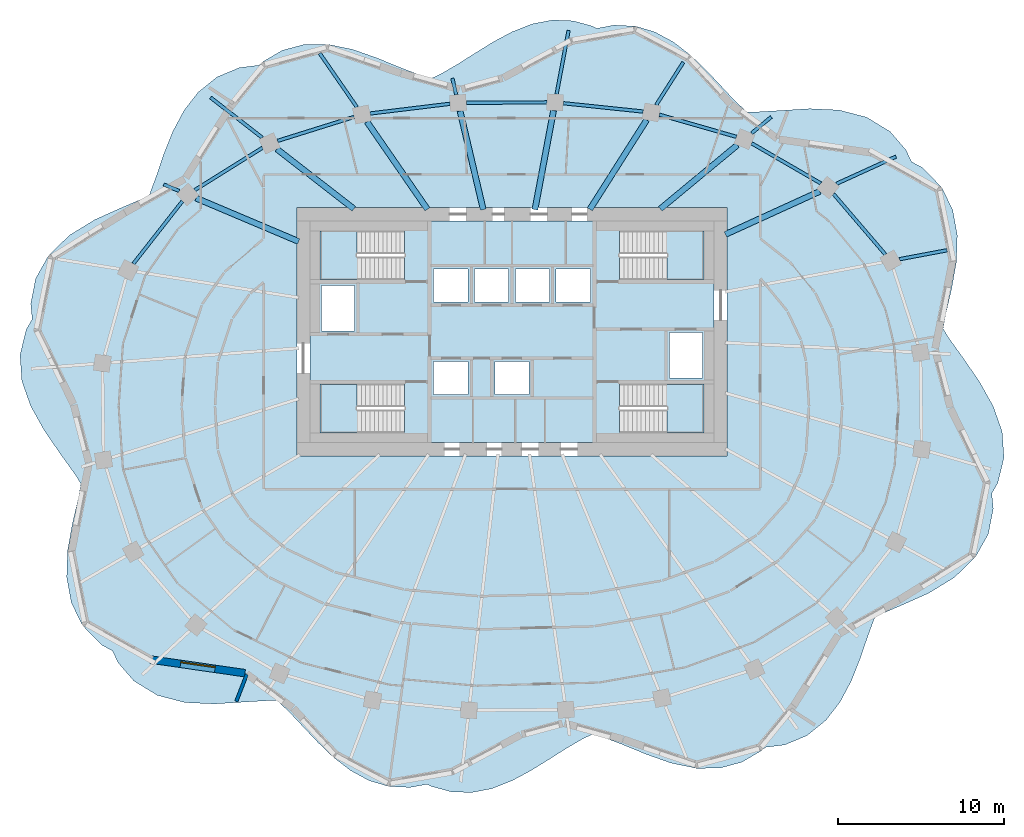
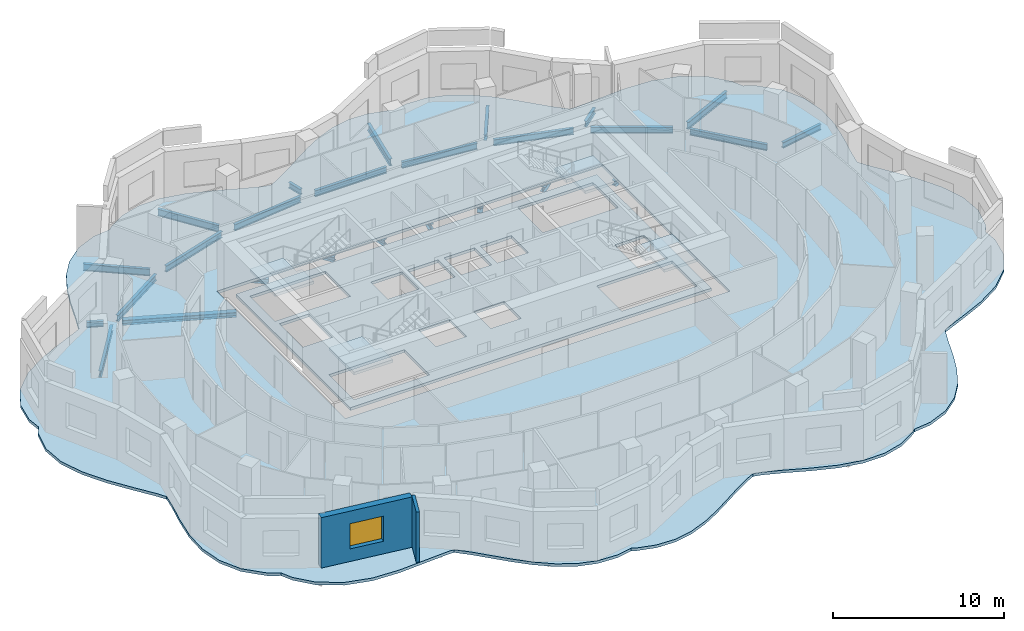
# One storey, part 2 of 10: 26 beams, 6 slabs, 2 walls, 1 window, 1 opening, 4 elements without a shape of their own.
"""IFC4 building model written with IfcOpenShell, lengths in metres."""

from ifc_helpers import new_model, si_unit, direction, frame, frame_2d, origin, origin_2d, place, context, subcontext, project, spatial, polyline, rectangle, i_section, outline, extrude, material, layer, layer_set, material_profile, profile_set, type_object, element, fill, aggregate, save


model = new_model("IFC4")

# Units and contexts
model_context = context("Model", 3, precision=1e-05, world=origin(), true_north=direction((0.0, 1.0)))
body_context = subcontext(model_context, "Body", "Model", "MODEL_VIEW")
ifc_project = project(units=[si_unit("LENGTHUNIT", "METRE"), si_unit("AREAUNIT", "SQUARE_METRE"), si_unit("VOLUMEUNIT", "CUBIC_METRE"), si_unit("PLANEANGLEUNIT", "RADIAN"), si_unit("MASSUNIT", "GRAM", prefix="KILO")], contexts=[model_context])

# Site, building, storey
site_placement = place(None, origin())
site = spatial("IfcSite", under=ifc_project, at=site_placement, CompositionType="ELEMENT")
building_placement = place(site_placement, origin())
building = spatial("IfcBuilding", under=site, at=building_placement, Name="Rubra Terraces Tower", CompositionType="ELEMENT")
storey_placement = place(building_placement, frame((0.0, 0.0, 213.0)))
storey = spatial("IfcBuildingStorey", under=building, at=storey_placement, Name="L52", CompositionType="ELEMENT", Elevation=213.0)

# Beams
ifc_material_1 = material(Name="Steel Q355B", Category="steel")
ifc_material_profile_1 = material_profile(ifc_material_1, i_section(OverallWidth=0.199951171875, OverallDepth=0.39990234375, WebThickness=0.008056640625, FlangeThickness=0.012939453125, at=origin_2d()), Name="HN 400x200x8x13")
ifc_profile_set_1 = profile_set([ifc_material_profile_1], Name="Steel Q355B")
beam_type_1 = type_object("IfcBeamType", Name="CANTILEVER BEAM HN 400x200x8x13", PredefinedType="BEAM", material=ifc_profile_set_1)
beam_1_placement = place(storey_placement, frame((23.39794921875, 8.884033203125, -0.39990234375), z_axis=(0.982856170911, 0.184373933356, 0.0), x_axis=(-0.184373933356, 0.982856170911, 0.0)))
element("IfcBeam", 1, at=beam_1_placement, inside=storey, type_object=beam_type_1, Name="beam-L52-cant-02", PredefinedType="BEAM", context=body_context, shape_type="SweptSolid", body=[
    extrude(i_section(OverallWidth=0.199951171875, OverallDepth=0.39990234375, WebThickness=0.008056640625, FlangeThickness=0.012939453125, at=origin_2d()), origin(), (0.0, 0.0, 1.0), 2.934326171875),
])
beam_2_placement = place(storey_placement, frame((14.47509765625, 16.4951171875, -0.39990234375), z_axis=(0.769894720429, 0.638170917119, 0.0), x_axis=(-0.638170917119, 0.769894720429, 0.0)))
element("IfcBeam", 2, at=beam_2_placement, inside=storey, type_object=beam_type_1, Name="beam-L52-cant-04", PredefinedType="BEAM", context=body_context, shape_type="SweptSolid", body=[
    extrude(i_section(OverallWidth=0.199951171875, OverallDepth=0.39990234375, WebThickness=0.008056640625, FlangeThickness=0.012939453125, at=origin_2d()), origin(), (0.0, 0.0, 1.0), 1.540283203125),
])
beam_3_placement = place(storey_placement, frame((8.7099609375, 18.201904296875, -0.39990234375), z_axis=(0.536555231363, 0.843865204696, 0.0), x_axis=(-0.843865204696, 0.536555231363, 0.0)))
element("IfcBeam", 3, at=beam_3_placement, inside=storey, type_object=beam_type_1, Name="beam-L52-cant-05", PredefinedType="BEAM", context=body_context, shape_type="SweptSolid", body=[
    extrude(i_section(OverallWidth=0.199951171875, OverallDepth=0.39990234375, WebThickness=0.008056640625, FlangeThickness=0.012939453125, at=origin_2d()), origin(), (0.0, 0.0, 1.0), 3.05859375),
])
ifc_material_profile_2 = material_profile(ifc_material_1, i_section(OverallWidth=0.198974609375, OverallDepth=0.49609375, WebThickness=0.009033203125, FlangeThickness=0.013916015625, at=origin_2d()), Name="HN 496x199x9x14")
ifc_profile_set_2 = profile_set([ifc_material_profile_2], Name="Steel Q355B")
beam_type_2 = type_object("IfcBeamType", Name="CANTILEVER BEAM HN 496x199x9x14", PredefinedType="BEAM", material=ifc_profile_set_2)
beam_4_placement = place(storey_placement, frame((19.596923828125, 13.43896484375, -0.447998046875), z_axis=(0.909745347317, 0.415166717157, 0.0), x_axis=(-0.415166717157, 0.909745347317, 0.0)))
element("IfcBeam", 4, at=beam_4_placement, inside=storey, type_object=beam_type_2, Name="beam-L52-cant-03", PredefinedType="BEAM", context=body_context, shape_type="SweptSolid", body=[
    extrude(i_section(OverallWidth=0.198974609375, OverallDepth=0.49609375, WebThickness=0.009033203125, FlangeThickness=0.013916015625, at=origin_2d()), origin(), (0.0, 0.0, 1.0), 3.950439453125),
])
beam_5_placement = place(storey_placement, frame((2.695068359375, 18.85400390625, -0.447998046875), z_axis=(0.184533441982, 0.982826235298, 0.0), x_axis=(-0.982826235298, 0.184533441982, 0.0)))
element("IfcBeam", 5, at=beam_5_placement, inside=storey, type_object=beam_type_2, Name="beam-L52-cant-06", PredefinedType="BEAM", context=body_context, shape_type="SweptSolid", body=[
    extrude(i_section(OverallWidth=0.198974609375, OverallDepth=0.49609375, WebThickness=0.009033203125, FlangeThickness=0.013916015625, at=origin_2d()), origin(), (0.0, 0.0, 1.0), 3.912109375),
])
beam_6_placement = place(storey_placement, frame((-9.3701171875, 18.070068359375, -0.447998046875), z_axis=(-0.568216621414, 0.822879013676, 0.0), x_axis=(-0.822879013676, -0.568216621414, 0.0)))
element("IfcBeam", 6, at=beam_6_placement, inside=storey, type_object=beam_type_2, Name="beam-L52-cant-08", PredefinedType="BEAM", context=body_context, shape_type="SweptSolid", body=[
    extrude(i_section(OverallWidth=0.198974609375, OverallDepth=0.49609375, WebThickness=0.009033203125, FlangeThickness=0.013916015625, at=origin_2d()), origin(), (0.0, 0.0, 1.0), 3.95068359375),
])
beam_7_placement = place(storey_placement, frame((-15.087890625, 16.22705078125, -0.447998046875), z_axis=(-0.789618379303, 0.61359825217, 0.0), x_axis=(-0.61359825217, -0.789618379303, 0.0)))
element("IfcBeam", 7, at=beam_7_placement, inside=storey, type_object=beam_type_2, Name="beam-L52-cant-09", PredefinedType="BEAM", context=body_context, shape_type="SweptSolid", body=[
    extrude(i_section(OverallWidth=0.198974609375, OverallDepth=0.49609375, WebThickness=0.009033203125, FlangeThickness=0.013916015625, at=origin_2d()), origin(), (0.0, 0.0, 1.0), 3.9501953125),
])
ifc_material_profile_3 = material_profile(ifc_material_1, i_section(OverallWidth=0.199951171875, OverallDepth=0.39990234375, WebThickness=0.008056640625, FlangeThickness=0.012939453125, at=origin_2d()), Name="HN 400x200x8x13")
ifc_profile_set_3 = profile_set([ifc_material_profile_3], Name="Steel Q355B")
beam_type_3 = type_object("IfcBeamType", Name="CANTILEVER STUB HN 400x200x8x13", PredefinedType="BEAM", material=ifc_profile_set_3)
beam_8_placement = place(storey_placement, frame((-3.3701171875, 18.823974609375, -0.39990234375), z_axis=(-0.228798709465, 0.973473754421, 0.0), x_axis=(-0.973473754421, -0.228798709465, 0.0)))
element("IfcBeam", 8, at=beam_8_placement, inside=storey, type_object=beam_type_3, Name="beam-L52-cant-07", PredefinedType="BEAM", context=body_context, shape_type="SweptSolid", body=[
    extrude(i_section(OverallWidth=0.199951171875, OverallDepth=0.39990234375, WebThickness=0.008056640625, FlangeThickness=0.012939453125, at=origin_2d()), origin(), (0.0, 0.0, 1.0), 1.01806640625),
])
beam_9_placement = place(storey_placement, frame((-20.10205078125, 13.0048828125, -0.39990234375), z_axis=(-0.920750248857, 0.390152507654, 0.0), x_axis=(-0.390152507654, -0.920750248857, 0.0)))
element("IfcBeam", 9, at=beam_9_placement, inside=storey, type_object=beam_type_3, Name="beam-L52-cant-10", PredefinedType="BEAM", context=body_context, shape_type="SweptSolid", body=[
    extrude(i_section(OverallWidth=0.199951171875, OverallDepth=0.39990234375, WebThickness=0.008056640625, FlangeThickness=0.012939453125, at=origin_2d()), origin(), (0.0, 0.0, 1.0), 1.010009765625),
])
ifc_material_profile_4 = material_profile(ifc_material_1, i_section(OverallWidth=0.35009765625, OverallDepth=0.35009765625, WebThickness=0.011962890625, FlangeThickness=0.01904296875, at=origin_2d()), Name="HW 350x350x12x19")
ifc_profile_set_4 = profile_set([ifc_material_profile_4], Name="Steel Q355B")
beam_type_4 = type_object("IfcBeamType", Name="FLOOR BEAM HW 350x350x12x19", PredefinedType="BEAM", material=ifc_profile_set_4)
beam_10_placement = place(storey_placement, frame((18.5869140625, 12.97900390625, -0.375), z_axis=(-0.909756526533, -0.415142219523, 0.0), x_axis=(0.415142219523, -0.909756526533, 0.0)))
element("IfcBeam", 10, at=beam_10_placement, inside=storey, type_object=beam_type_4, Name="beam-L52-floor-03", PredefinedType="BEAM", context=body_context, shape_type="SweptSolid", body=[
    extrude(i_section(OverallWidth=0.35009765625, OverallDepth=0.35009765625, WebThickness=0.011962890625, FlangeThickness=0.01904296875, at=origin_2d()), origin(), (0.0, 0.0, 1.0), 6.2607421875),
])
beam_11_placement = place(storey_placement, frame((13.60888671875, 15.777099609375, -0.375), z_axis=(-0.769987518392, -0.638058948312, 0.0), x_axis=(0.638058948312, -0.769987518392, 0.0)))
element("IfcBeam", 11, at=beam_11_placement, inside=storey, type_object=beam_type_4, Name="beam-L52-floor-04", PredefinedType="BEAM", context=body_context, shape_type="SweptSolid", body=[
    extrude(i_section(OverallWidth=0.35009765625, OverallDepth=0.35009765625, WebThickness=0.011962890625, FlangeThickness=0.01904296875, at=origin_2d()), origin(), (0.0, 0.0, 1.0), 6.040283203125),
])
beam_12_placement = place(storey_placement, frame((8.134033203125, 17.2958984375, -0.375), z_axis=(-0.536509861106, -0.843894050776, 0.0), x_axis=(0.843894050776, -0.536509861106, 0.0)))
element("IfcBeam", 12, at=beam_12_placement, inside=storey, type_object=beam_type_4, Name="beam-L52-floor-05", PredefinedType="BEAM", context=body_context, shape_type="SweptSolid", body=[
    extrude(i_section(OverallWidth=0.35009765625, OverallDepth=0.35009765625, WebThickness=0.011962890625, FlangeThickness=0.01904296875, at=origin_2d()), origin(), (0.0, 0.0, 1.0), 6.395263671875),
])
beam_13_placement = place(storey_placement, frame((2.509033203125, 17.862060546875, -0.375), z_axis=(-0.184574398021, -0.982818544593, 0.0), x_axis=(0.982818544593, -0.184574398021, 0.0)))
element("IfcBeam", 13, at=beam_13_placement, inside=storey, type_object=beam_type_4, Name="beam-L52-floor-06", PredefinedType="BEAM", context=body_context, shape_type="SweptSolid", body=[
    extrude(i_section(OverallWidth=0.35009765625, OverallDepth=0.35009765625, WebThickness=0.011962890625, FlangeThickness=0.01904296875, at=origin_2d()), origin(), (0.0, 0.0, 1.0), 6.08447265625),
])
beam_14_placement = place(storey_placement, frame((-3.137939453125, 17.8359375, -0.375), z_axis=(0.229070485592, -0.973409837957, 0.0), x_axis=(0.973409837957, 0.229070485592, 0.0)))
element("IfcBeam", 14, at=beam_14_placement, inside=storey, type_object=beam_type_4, Name="beam-L52-floor-07", PredefinedType="BEAM", context=body_context, shape_type="SweptSolid", body=[
    extrude(i_section(OverallWidth=0.35009765625, OverallDepth=0.35009765625, WebThickness=0.011962890625, FlangeThickness=0.01904296875, at=origin_2d()), origin(), (0.0, 0.0, 1.0), 6.115478515625),
])
beam_15_placement = place(storey_placement, frame((-8.756103515625, 17.179931640625, -0.375), z_axis=(0.568186422001, -0.822899866238, 0.0), x_axis=(0.822899866238, 0.568186422001, 0.0)))
element("IfcBeam", 15, at=beam_15_placement, inside=storey, type_object=beam_type_4, Name="beam-L52-floor-08", PredefinedType="BEAM", context=body_context, shape_type="SweptSolid", body=[
    extrude(i_section(OverallWidth=0.35009765625, OverallDepth=0.35009765625, WebThickness=0.011962890625, FlangeThickness=0.01904296875, at=origin_2d()), origin(), (0.0, 0.0, 1.0), 6.415283203125),
])
beam_16_placement = place(storey_placement, frame((-14.197998046875, 15.534912109375, -0.375), z_axis=(0.789548898228, -0.613687654517, 0.0), x_axis=(0.613687654517, 0.789548898228, 0.0)))
element("IfcBeam", 16, at=beam_16_placement, inside=storey, type_object=beam_type_4, Name="beam-L52-floor-09", PredefinedType="BEAM", context=body_context, shape_type="SweptSolid", body=[
    extrude(i_section(OverallWidth=0.35009765625, OverallDepth=0.35009765625, WebThickness=0.011962890625, FlangeThickness=0.01904296875, at=origin_2d()), origin(), (0.0, 0.0, 1.0), 5.880615234375),
])
beam_17_placement = place(storey_placement, frame((-19.083984375, 12.574951171875, -0.375), z_axis=(0.92097476483, -0.38962223056, 0.0), x_axis=(0.38962223056, 0.92097476483, 0.0)))
element("IfcBeam", 17, at=beam_17_placement, inside=storey, type_object=beam_type_4, Name="beam-L52-floor-10", PredefinedType="BEAM", context=body_context, shape_type="SweptSolid", body=[
    extrude(i_section(OverallWidth=0.35009765625, OverallDepth=0.35009765625, WebThickness=0.011962890625, FlangeThickness=0.01904296875, at=origin_2d()), origin(), (0.0, 0.0, 1.0), 6.7265625),
])
ifc_material_profile_5 = material_profile(ifc_material_1, i_section(OverallWidth=0.198974609375, OverallDepth=0.446044921875, WebThickness=0.008056640625, FlangeThickness=0.011962890625, at=origin_2d()), Name="HN 446x199x8x12")
ifc_profile_set_5 = profile_set([ifc_material_profile_5], Name="Steel Q355B")
beam_type_5 = type_object("IfcBeamType", Name="SPANDREL BEAM HN 446x199x8x12", PredefinedType="SPANDREL", material=ifc_profile_set_5)
beam_18_placement = place(storey_placement, frame((22.547119140625, 9.174072265625, -0.423095703125), z_axis=(-0.650372836218, 0.759615148552, 0.0), x_axis=(-0.759615148552, -0.650372836218, 0.0)))
element("IfcBeam", 18, at=beam_18_placement, inside=storey, type_object=beam_type_5, Name="beam-L52-spandrel-02", PredefinedType="SPANDREL", context=body_context, shape_type="SweptSolid", body=[
    extrude(i_section(OverallWidth=0.198974609375, OverallDepth=0.446044921875, WebThickness=0.008056640625, FlangeThickness=0.011962890625, at=origin_2d()), origin(), (0.0, 0.0, 1.0), 4.804931640625),
])
beam_19_placement = place(storey_placement, frame((18.653076171875, 13.462890625, -0.423095703125), z_axis=(-0.865153680787, 0.501506838059, 0.0), x_axis=(-0.501506838059, -0.865153680787, 0.0)))
element("IfcBeam", 19, at=beam_19_placement, inside=storey, type_object=beam_type_5, Name="beam-L52-spandrel-03", PredefinedType="SPANDREL", context=body_context, shape_type="SweptSolid", body=[
    extrude(i_section(OverallWidth=0.198974609375, OverallDepth=0.446044921875, WebThickness=0.008056640625, FlangeThickness=0.011962890625, at=origin_2d()), origin(), (0.0, 0.0, 1.0), 4.82568359375),
])
beam_20_placement = place(storey_placement, frame((13.55810546875, 16.27490234375, -0.423095703125), z_axis=(-0.961171164323, 0.275952881621, 0.0), x_axis=(-0.275952881621, -0.961171164323, 0.0)))
element("IfcBeam", 20, at=beam_20_placement, inside=storey, type_object=beam_type_5, Name="beam-L52-spandrel-04", PredefinedType="SPANDREL", context=body_context, shape_type="SweptSolid", body=[
    extrude(i_section(OverallWidth=0.198974609375, OverallDepth=0.446044921875, WebThickness=0.008056640625, FlangeThickness=0.011962890625, at=origin_2d()), origin(), (0.0, 0.0, 1.0), 4.842041015625),
])
beam_21_placement = place(storey_placement, frame((7.923095703125, 17.801025390625, -0.423095703125), z_axis=(-0.994565426955, 0.104113454971, 0.0), x_axis=(-0.104113454971, -0.994565426955, 0.0)))
element("IfcBeam", 21, at=beam_21_placement, inside=storey, type_object=beam_type_5, Name="beam-L52-spandrel-05", PredefinedType="SPANDREL", context=body_context, shape_type="SweptSolid", body=[
    extrude(i_section(OverallWidth=0.198974609375, OverallDepth=0.446044921875, WebThickness=0.008056640625, FlangeThickness=0.011962890625, at=origin_2d()), origin(), (0.0, 0.0, 1.0), 4.849365234375),
])
beam_22_placement = place(storey_placement, frame((2.10107421875, 18.35595703125, -0.423095703125), z_axis=(-0.999987852299, -0.004929021704, 0.0), x_axis=(0.004929021704, -0.999987852299, 0.0)))
element("IfcBeam", 22, at=beam_22_placement, inside=storey, type_object=beam_type_5, Name="beam-L52-spandrel-06", PredefinedType="SPANDREL", context=body_context, shape_type="SweptSolid", body=[
    extrude(i_section(OverallWidth=0.198974609375, OverallDepth=0.446044921875, WebThickness=0.008056640625, FlangeThickness=0.011962890625, at=origin_2d()), origin(), (0.0, 0.0, 1.0), 4.85400390625),
])
beam_23_placement = place(storey_placement, frame((-3.7509765625, 18.27001953125, -0.423095703125), z_axis=(-0.992698018573, -0.120626049929, 0.0), x_axis=(0.120626049929, -0.992698018573, 0.0)))
element("IfcBeam", 23, at=beam_23_placement, inside=storey, type_object=beam_type_5, Name="beam-L52-spandrel-07", PredefinedType="SPANDREL", context=body_context, shape_type="SweptSolid", body=[
    extrude(i_section(OverallWidth=0.198974609375, OverallDepth=0.446044921875, WebThickness=0.008056640625, FlangeThickness=0.011962890625, at=origin_2d()), origin(), (0.0, 0.0, 1.0), 4.849365234375),
])
beam_24_placement = place(storey_placement, frame((-9.5419921875, 17.47509765625, -0.423095703125), z_axis=(-0.954462027342, -0.298332429282, 0.0), x_axis=(0.298332429282, -0.954462027342, 0.0)))
element("IfcBeam", 24, at=beam_24_placement, inside=storey, type_object=beam_type_5, Name="beam-L52-spandrel-08", PredefinedType="SPANDREL", context=body_context, shape_type="SweptSolid", body=[
    extrude(i_section(OverallWidth=0.198974609375, OverallDepth=0.446044921875, WebThickness=0.008056640625, FlangeThickness=0.011962890625, at=origin_2d()), origin(), (0.0, 0.0, 1.0), 4.840576171875),
])
beam_25_placement = place(storey_placement, frame((-15.071044921875, 15.614013671875, -0.423095703125), z_axis=(-0.848183088492, -0.529703170083, 0.0), x_axis=(0.529703170083, -0.848183088492, 0.0)))
element("IfcBeam", 25, at=beam_25_placement, inside=storey, type_object=beam_type_5, Name="beam-L52-spandrel-09", PredefinedType="SPANDREL", context=body_context, shape_type="SweptSolid", body=[
    extrude(i_section(OverallWidth=0.198974609375, OverallDepth=0.446044921875, WebThickness=0.008056640625, FlangeThickness=0.011962890625, at=origin_2d()), origin(), (0.0, 0.0, 1.0), 4.8232421875),
])
beam_26_placement = place(storey_placement, frame((-19.906005859375, 12.39111328125, -0.423095703125), z_axis=(-0.617060338015, -0.786915840004, 0.0), x_axis=(0.786915840004, -0.617060338015, 0.0)))
element("IfcBeam", 26, at=beam_26_placement, inside=storey, type_object=beam_type_5, Name="beam-L52-spandrel-10", PredefinedType="SPANDREL", context=body_context, shape_type="SweptSolid", body=[
    extrude(i_section(OverallWidth=0.198974609375, OverallDepth=0.446044921875, WebThickness=0.008056640625, FlangeThickness=0.011962890625, at=origin_2d()), origin(), (0.0, 0.0, 1.0), 4.8037109375),
])

# Slab
ifc_material_2 = material(Name="Concrete C40", Category="concrete")
ifc_layer_1 = layer(ifc_material_2, 0.199951171875)
ifc_layer_set_1 = layer_set([ifc_layer_1], Name="Concrete C40")
slab_type_1 = type_object("IfcSlabType", Name="Core floor slab 200 concrete", PredefinedType="FLOOR", material=ifc_layer_set_1)
slab_1_placement = place(storey_placement, frame((0.0, 0.0, -0.199951171875)))
element("IfcSlab", 27, at=slab_1_placement, inside=storey, type_object=slab_type_1, Name="CORE FLOOR SLAB L52", PredefinedType="FLOOR", context=body_context, shape_type="SweptSolid", body=[
    extrude(outline(polyline([(-12.199951171875, -2.199951171875), (-12.199951171875, 11.199951171875), (12.199951171875, 11.199951171875), (12.199951171875, -2.199951171875), (-12.199951171875, -2.199951171875)]), holes=[polyline([(11.597900390625, 1.347900390625), (6.501953125, 1.347900390625), (6.501953125, -1.597900390625), (11.597900390625, -1.597900390625), (11.597900390625, 1.347900390625)]), polyline([(11.597900390625, 7.652099609375), (11.597900390625, 10.597900390625), (6.501953125, 10.597900390625), (6.501953125, 7.652099609375), (11.597900390625, 7.652099609375)]), polyline([(9.5, 1.699951171875), (11.5, 1.699951171875), (11.5, 4.449951171875), (9.5, 4.449951171875), (9.5, 1.699951171875)]), polyline([(4.75, 6.300048828125), (4.75, 8.300048828125), (2.64990234375, 8.300048828125), (2.64990234375, 6.300048828125), (4.75, 6.300048828125)]), polyline([(2.25, 8.300048828125), (0.199951171875, 8.300048828125), (0.199951171875, 6.300048828125), (2.25, 6.300048828125), (2.25, 8.300048828125)]), polyline([(1.02490234375, 0.699951171875), (1.02490234375, 2.699951171875), (-1.02490234375, 2.699951171875), (-1.02490234375, 0.699951171875), (1.02490234375, 0.699951171875)]), polyline([(-0.199951171875, 6.300048828125), (-0.199951171875, 8.300048828125), (-2.25, 8.300048828125), (-2.25, 6.300048828125), (-0.199951171875, 6.300048828125)]), polyline([(-4.75, 8.300048828125), (-4.75, 6.300048828125), (-2.64990234375, 6.300048828125), (-2.64990234375, 8.300048828125), (-4.75, 8.300048828125)]), polyline([(-2.64990234375, 0.699951171875), (-2.64990234375, 2.699951171875), (-4.75, 2.699951171875), (-4.75, 0.699951171875), (-2.64990234375, 0.699951171875)]), polyline([(-11.597900390625, -1.597900390625), (-6.501953125, -1.597900390625), (-6.501953125, 1.347900390625), (-11.597900390625, 1.347900390625), (-11.597900390625, -1.597900390625)]), polyline([(-11.597900390625, 10.597900390625), (-11.597900390625, 7.652099609375), (-6.501953125, 7.652099609375), (-6.501953125, 10.597900390625), (-11.597900390625, 10.597900390625)]), polyline([(-9.5, 4.550048828125), (-9.5, 7.300048828125), (-11.5, 7.300048828125), (-11.5, 4.550048828125), (-9.5, 4.550048828125)])]), origin(), (0.0, 0.0, 1.0), 0.199951171875),
])

# Stair, slab
stair_type = type_object("IfcStairType", Name="Core stair 1400", PredefinedType="HALF_TURN_STAIR", material=ifc_material_2)
stair_1_placement = place(storey_placement, origin())
stair_1 = element("IfcStair", 28, at=stair_1_placement, inside=storey, type_object=stair_type, Name="L52 Exit stair S1", PredefinedType="HALF_TURN_STAIR")
ifc_layer_2 = layer(ifc_material_2, 0.199951171875)
ifc_layer_set_2 = layer_set([ifc_layer_2], Name="Concrete C40")
slab_type_2 = type_object("IfcSlabType", Name="Core stair landing 200", PredefinedType="LANDING", material=ifc_layer_set_2)
slab_2_placement = place(storey_placement, frame((0.0, 0.0, 1.75)))
slab_2 = element("IfcSlab", 29, at=slab_2_placement, type_object=slab_type_2, Name="S1 landing 1", PredefinedType="LANDING", context=body_context, shape_type="SweptSolid", body=[
    extrude(outline(polyline([(-8.97998046875, -0.199951171875), (-8.97998046875, -1.60009765625), (-9.360107421875, -1.60009765625), (-9.3798828125, -1.60009765625), (-11.60009765625, -1.60009765625), (-11.60009765625, 1.35009765625), (-9.3798828125, 1.35009765625), (-9.35791015625, 1.35009765625), (-9.35791015625, -0.050048828125), (-9.360107421875, -0.050048828125), (-9.360107421875, -0.199951171875), (-8.97998046875, -0.199951171875)])), origin(), (0.0, 0.0, 1.0), 0.199951171875),
])
aggregate(stair_1, [slab_2])

stair_2_placement = place(storey_placement, origin())
stair_2 = element("IfcStair", 30, at=stair_2_placement, inside=storey, type_object=stair_type, Name="L52 Exit stair S2", PredefinedType="HALF_TURN_STAIR")
slab_3_placement = place(storey_placement, frame((0.0, 0.0, 1.75)))
slab_3 = element("IfcSlab", 31, at=slab_3_placement, type_object=slab_type_2, Name="S2 landing 1", PredefinedType="LANDING", context=body_context, shape_type="SweptSolid", body=[
    extrude(outline(polyline([(-8.97998046875, 9.050048828125), (-8.97998046875, 7.64990234375), (-9.3798828125, 7.64990234375), (-11.60009765625, 7.64990234375), (-11.60009765625, 10.60009765625), (-9.3798828125, 10.60009765625), (-9.360107421875, 10.60009765625), (-9.35791015625, 10.60009765625), (-9.35791015625, 9.199951171875), (-9.360107421875, 9.199951171875), (-9.360107421875, 9.050048828125), (-8.97998046875, 9.050048828125)])), origin(), (0.0, 0.0, 1.0), 0.199951171875),
])
aggregate(stair_2, [slab_3])

stair_3_placement = place(storey_placement, origin())
stair_3 = element("IfcStair", 32, at=stair_3_placement, inside=storey, type_object=stair_type, Name="L52 Exit stair S3", PredefinedType="HALF_TURN_STAIR")
slab_4_placement = place(storey_placement, frame((0.0, 0.0, 1.75)))
slab_4 = element("IfcSlab", 33, at=slab_4_placement, type_object=slab_type_2, Name="S3 landing 1", PredefinedType="LANDING", context=body_context, shape_type="SweptSolid", body=[
    extrude(outline(polyline([(9.360107421875, 9.050048828125), (9.360107421875, 9.199951171875), (8.97998046875, 9.199951171875), (8.97998046875, 10.60009765625), (9.360107421875, 10.60009765625), (9.3798828125, 10.60009765625), (11.60009765625, 10.60009765625), (11.60009765625, 7.64990234375), (9.3798828125, 7.64990234375), (9.35791015625, 7.64990234375), (9.35791015625, 9.050048828125), (9.360107421875, 9.050048828125)])), origin(), (0.0, 0.0, 1.0), 0.199951171875),
])
aggregate(stair_3, [slab_4])

stair_4_placement = place(storey_placement, origin())
stair_4 = element("IfcStair", 34, at=stair_4_placement, inside=storey, type_object=stair_type, Name="L52 Exit stair S4", PredefinedType="HALF_TURN_STAIR")
slab_5_placement = place(storey_placement, frame((0.0, 0.0, 1.75)))
slab_5 = element("IfcSlab", 35, at=slab_5_placement, type_object=slab_type_2, Name="S4 landing 1", PredefinedType="LANDING", context=body_context, shape_type="SweptSolid", body=[
    extrude(outline(polyline([(9.360107421875, -0.199951171875), (9.360107421875, -0.050048828125), (8.97998046875, -0.050048828125), (8.97998046875, 1.35009765625), (9.360107421875, 1.35009765625), (9.3798828125, 1.35009765625), (11.60009765625, 1.35009765625), (11.60009765625, -1.60009765625), (9.3798828125, -1.60009765625), (9.360107421875, -1.60009765625), (9.35791015625, -1.60009765625), (9.35791015625, -0.199951171875), (9.360107421875, -0.199951171875)])), origin(), (0.0, 0.0, 1.0), 0.199951171875),
])
aggregate(stair_4, [slab_5])

# Slab
ifc_layer_3 = layer(ifc_material_2, 0.199951171875)
ifc_layer_set_3 = layer_set([ifc_layer_3], Name="Concrete C40")
slab_type_3 = type_object("IfcSlabType", Name="FLOOR SLAB 200 COMPOSITE", PredefinedType="FLOOR", material=ifc_layer_set_3)
slab_6_placement = place(storey_placement, frame((0.0, 0.0, -0.199951171875)))
element("IfcSlab", 36, at=slab_6_placement, inside=storey, type_object=slab_type_3, Name="FLOOR SLAB L52", PredefinedType="FLOOR", context=body_context, shape_type="SweptSolid", body=[
    extrude(outline(polyline([(15.10009765625, -20.782958984375), (15.297119140625, -20.60009765625), (16.469970703125, -20.4541015625), (17.81298828125, -19.89404296875), (18.964111328125, -18.964111328125), (19.81591796875, -17.863037109375), (20.489013671875, -16.59912109375), (21.01904296875, -15.27099609375), (21.498046875, -13.864990234375), (21.919921875, -12.72900390625), (22.05810546875, -12.64990234375), (23.56298828125, -12.006103515625), (25.175048828125, -11.283935546875), (26.72509765625, -10.337890625), (28.0, -9.097900390625), (28.77099609375, -7.715087890625), (29.072021484375, -6.176025390625), (28.97998046875, -5.259033203125), (29.337890625, -4.64697265625), (29.717041015625, -3.10107421875), (29.60595703125, -1.52587890625), (29.06689453125, 0.0), (28.240966796875, 1.47998046875), (27.278076171875, 2.87890625), (26.34912109375, 4.173095703125), (26.041015625, 4.68603515625), (26.18994140625, 5.527099609375), (26.551025390625, 7.068115234375), (26.843994140625, 8.721923828125), (26.89794921875, 10.322021484375), (26.618896484375, 11.860107421875), (25.9541015625, 13.22412109375), (24.791015625, 14.4169921875), (24.135986328125, 14.76708984375), (23.7900390625, 15.491943359375), (22.839111328125, 16.593017578125), (21.4150390625, 17.4619140625), (19.748046875, 17.89501953125), (17.97607421875, 17.97607421875), (16.18408203125, 17.864013671875), (14.509033203125, 17.763916015625), (14.173095703125, 17.787109375), (13.430908203125, 18.487060546875), (12.596923828125, 19.3779296875), (11.72509765625, 20.303955078125), (10.798095703125, 21.19189453125), (9.7509765625, 22.001953125), (8.634033203125, 22.60888671875), (7.4599609375, 22.958984375), (6.156982421875, 23.02197265625), (5.1279296875, 22.8291015625), (4.843994140625, 22.967041015625), (3.68701171875, 23.281982421875), (2.450927734375, 23.33203125), (1.217041015625, 23.095947265625), (0.0, 22.616943359375), (-1.110107421875, 22.02294921875), (-2.2041015625, 21.34912109375), (-3.27392578125, 20.6708984375), (-4.283935546875, 20.08203125), (-4.864013671875, 19.80908203125), (-4.2451171875, 19.64501953125), (-5.419921875, 19.9560546875), (-6.633056640625, 20.4130859375), (-8.09912109375, 21.01806640625), (-9.613037109375, 21.552001953125), (-11.14208984375, 21.866943359375), (-12.552978515625, 21.85595703125), (-13.886962890625, 21.4951171875), (-15.10009765625, 20.782958984375), (-15.297119140625, 20.60009765625), (-16.469970703125, 20.4541015625), (-17.81298828125, 19.89404296875), (-18.964111328125, 18.964111328125), (-19.81591796875, 17.863037109375), (-20.489013671875, 16.59912109375), (-21.01904296875, 15.27099609375), (-21.498046875, 13.864990234375), (-21.919921875, 12.72900390625), (-22.05810546875, 12.64990234375), (-23.56298828125, 12.006103515625), (-25.175048828125, 11.283935546875), (-26.72509765625, 10.337890625), (-28.0, 9.097900390625), (-28.77099609375, 7.715087890625), (-29.072021484375, 6.176025390625), (-28.97998046875, 5.259033203125), (-29.337890625, 4.64697265625), (-29.717041015625, 3.10107421875), (-29.60595703125, 1.52587890625), (-29.06689453125, 0.0), (-28.240966796875, -1.47998046875), (-27.278076171875, -2.87890625), (-26.34912109375, -4.173095703125), (-26.041015625, -4.68603515625), (-26.18994140625, -5.527099609375), (-26.551025390625, -7.068115234375), (-26.843994140625, -8.721923828125), (-26.89794921875, -10.322021484375), (-26.618896484375, -11.860107421875), (-25.9541015625, -13.22412109375), (-24.791015625, -14.4169921875), (-24.135986328125, -14.76708984375), (-23.7900390625, -15.491943359375), (-22.839111328125, -16.593017578125), (-21.4150390625, -17.4619140625), (-19.748046875, -17.89501953125), (-17.97607421875, -17.97607421875), (-16.18408203125, -17.864013671875), (-14.509033203125, -17.763916015625), (-14.173095703125, -17.787109375), (-13.430908203125, -18.487060546875), (-12.596923828125, -19.3779296875), (-11.72509765625, -20.303955078125), (-10.798095703125, -21.19189453125), (-9.7509765625, -22.001953125), (-8.634033203125, -22.60888671875), (-7.4599609375, -22.958984375), (-6.156982421875, -23.02197265625), (-5.1279296875, -22.8291015625), (-4.843994140625, -22.967041015625), (-3.68701171875, -23.281982421875), (-2.450927734375, -23.33203125), (-1.217041015625, -23.095947265625), (0.0, -22.616943359375), (1.110107421875, -22.02294921875), (2.2041015625, -21.34912109375), (3.27392578125, -20.6708984375), (4.283935546875, -20.08203125), (4.864013671875, -19.80908203125), (4.2451171875, -19.64501953125), (5.419921875, -19.9560546875), (6.633056640625, -20.4130859375), (8.09912109375, -21.01806640625), (9.613037109375, -21.552001953125), (11.14208984375, -21.866943359375), (12.552978515625, -21.85595703125), (13.886962890625, -21.4951171875), (15.10009765625, -20.782958984375)]), holes=[polyline([(13.0, 12.0), (13.0, -3.0), (-13.0, -3.0), (-13.0, 12.0), (13.0, 12.0)])]), origin(), (0.0, 0.0, 1.0), 0.199951171875),
])

# Wall, opening, window
ifc_material_3 = material(Name="Brick masonry red-brown", Category="masonry")
ifc_layer_4 = layer(ifc_material_3, 0.449951171875)
ifc_layer_set_4 = layer_set([ifc_layer_4], Name="Brick masonry red-brown")
wall_type_1 = type_object("IfcWallType", Name="Brick facade wall 450", PredefinedType="SOLIDWALL", material=ifc_layer_set_4)
wall_1_placement = place(storey_placement, frame((-21.8251953125, -15.297119140625, 0.0), z_axis=(0.0, 0.0, 1.0), x_axis=(0.98971474215, -0.143054986527, 0.0)))
wall_1 = element("IfcWall", 37, at=wall_1_placement, inside=storey, type_object=wall_type_1, Name="Facade wall L52 bay 25", PredefinedType="SOLIDWALL", context=body_context, shape_type="SweptSolid", body=[
    extrude(rectangle(XDim=5.7529296875, YDim=0.449951171875, at=frame_2d((2.87646484375, 0.0))), origin(), (0.0, 0.0, 1.0), 3.60009765625),
])
opening_placement = place(wall_1_placement, frame((1.826416015625, 0.0, 0.89990234375)))
opening = element("IfcOpeningElement", 38, at=opening_placement, cuts=wall_1, Name="Opening W1Z", PredefinedType="OPENING", context=body_context, shape_type="SweptSolid", body=[
    extrude(rectangle(XDim=2.10009765625, YDim=1.800048828125, at=frame_2d((1.050048828125, 0.89990234375))), frame((0.0, 0.23486328125, 0.0), z_axis=(0.0, -1.0, 0.0), x_axis=(1.0, 0.0, 0.0)), (0.0, 0.0, 1.0), 0.469970703125),
])
ifc_material_4 = material(Name="Clear glass in aluminium frame", Category="aluminium")
window_type = type_object("IfcWindowType", Name="Fixed deep-set window under transfer level 2100 x 1800", PartitioningType="SINGLE_PANEL", PredefinedType="WINDOW", material=ifc_material_4)
window_placement = place(opening_placement, origin())
window = element("IfcWindow", 39, at=window_placement, inside=storey, type_object=window_type, Name="Window L52 bay 25", OverallHeight=1.800048828125, OverallWidth=2.10009765625, PartitioningType="SINGLE_PANEL", PredefinedType="WINDOW", context=body_context, shape_type="SweptSolid", body=[
    extrude(rectangle(XDim=2.10009765625, YDim=1.800048828125, at=frame_2d((1.050048828125, 0.89990234375))), frame((0.0, 0.135009765625, 0.0), z_axis=(0.0, -1.0, 0.0), x_axis=(1.0, 0.0, 0.0)), (0.0, 0.0, 1.0), 0.06005859375),
])
fill(opening, window)

# Wall
ifc_layer_5 = layer(ifc_material_3, 0.199951171875)
ifc_layer_set_5 = layer_set([ifc_layer_5], Name="Brick masonry red-brown")
wall_type_2 = type_object("IfcWallType", Name="Brick wind fin 200", PredefinedType="SOLIDWALL", material=ifc_layer_set_5)
wall_2_placement = place(storey_placement, frame((-16.01904296875, -16.195068359375, 0.0), z_axis=(0.0, 0.0, 1.0), x_axis=(-0.362641522028, -0.931928713208, 0.0)))
element("IfcWall", 40, at=wall_2_placement, inside=storey, type_object=wall_type_2, Name="Wind fin L52 16", PredefinedType="SOLIDWALL", context=body_context, shape_type="SweptSolid", body=[
    extrude(rectangle(XDim=1.749755859375, YDim=0.199951171875, at=frame_2d((0.875, 0.0))), origin(), (0.0, 0.0, 1.0), 3.60009765625),
])

save(model, "model.ifc")
